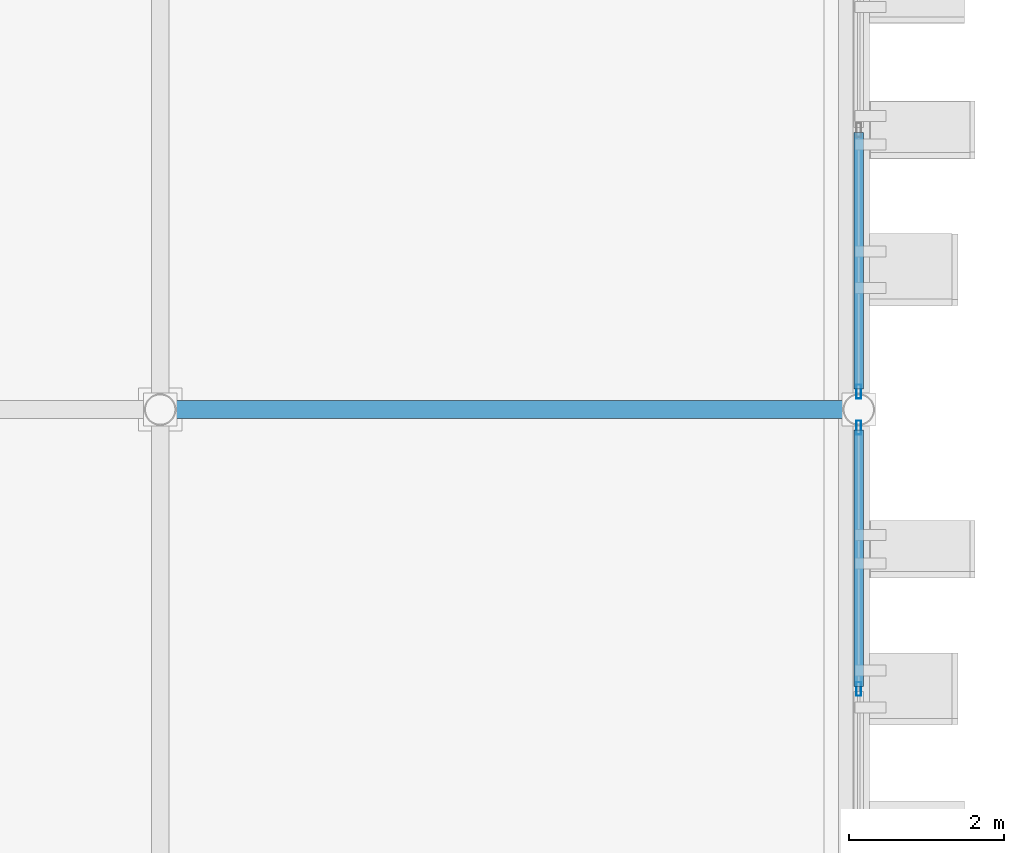
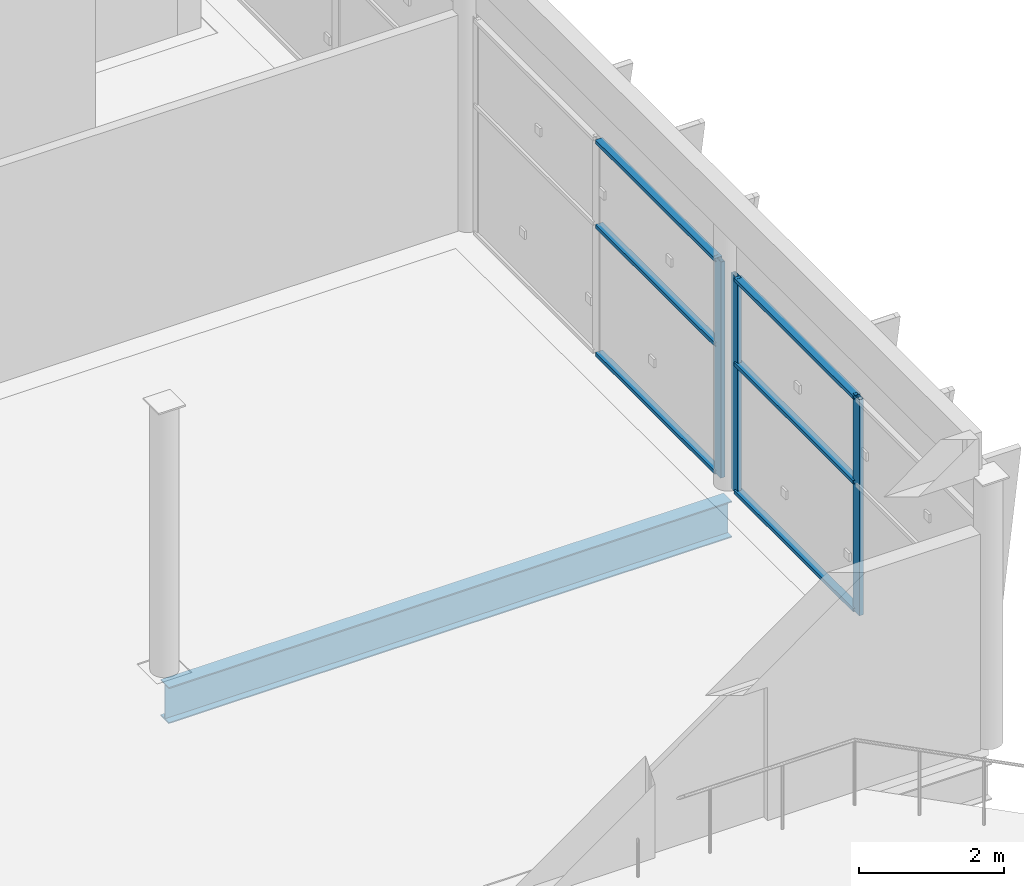
# One storey, part 21 of 52: 9 members, 1 beam, 2 elements without a shape of their own.
"""IFC4 building model written with IfcOpenShell, lengths in metres."""

from ifc_helpers import new_model, si_unit, direction, frame, origin, origin_2d, place, context, subcontext, project, spatial, hollow_rectangle, i_section, extrude, material, layer, layer_set, material_profile, profile_set, type_object, element, aggregate, save


model = new_model("IFC4")

# Units and contexts
model_context = context("Model", 3, precision=1e-05, world=origin(), true_north=direction((0.0, 1.0)))
body_context = subcontext(model_context, "Body", "Model", "MODEL_VIEW")
ifc_project = project(units=[si_unit("LENGTHUNIT", "METRE"), si_unit("AREAUNIT", "SQUARE_METRE"), si_unit("VOLUMEUNIT", "CUBIC_METRE"), si_unit("PLANEANGLEUNIT", "RADIAN"), si_unit("MASSUNIT", "GRAM", prefix="KILO")], contexts=[model_context])

# Site, building, storey
site_placement = place(None, origin())
site = spatial("IfcSite", under=ifc_project, at=site_placement, CompositionType="ELEMENT")
building_placement = place(site_placement, origin())
building = spatial("IfcBuilding", under=site, at=building_placement, Name="Celestram Park Convention Centre", CompositionType="ELEMENT")
storey_placement = place(building_placement, frame((0.0, 0.0, 24.300048828125)))
storey = spatial("IfcBuildingStorey", under=building, at=storey_placement, Name="L05", CompositionType="ELEMENT", Elevation=24.300048828125)

# Curtain wall, member
ifc_material_1 = material(Name="Anodised Aluminium Alloy 6063-T6", Category="aluminium")
ifc_layer = layer(ifc_material_1, 0.179931640625)
ifc_layer_set = layer_set([ifc_layer], Name="Anodised Aluminium Alloy 6063-T6")
curtain_wall_type = type_object("IfcCurtainWallType", Name="ARC-CW-680X365", PredefinedType="NOTDEFINED", material=ifc_layer_set)
curtain_wall_1_placement = place(storey_placement, origin())
curtain_wall_1 = element("IfcCurtainWall", 1, at=curtain_wall_1_placement, inside=storey, type_object=curtain_wall_type, Name="Unitised curtain wall CU-L05-254", PredefinedType="NOTDEFINED")
ifc_material_profile_1 = material_profile(ifc_material_1, hollow_rectangle(XDim=0.06494140625, YDim=0.179931640625, WallThickness=0.00390625, at=origin_2d()), Name="ALU65X180X4")
ifc_profile_set_1 = profile_set([ifc_material_profile_1], Name="Anodised Aluminium Alloy 6063-T6")
member_type_1 = type_object("IfcMemberType", Name="ARC-CWM-150", PredefinedType="MULLION", material=ifc_profile_set_1)
member_1_placement = place(storey_placement, frame((99.0, 137.031494140625, 0.0), z_axis=(0.0, 0.0, 1.0), x_axis=(1.0, 0.0, 0.0)))
member_1 = element("IfcMember", 2, at=member_1_placement, type_object=member_type_1, Name="CW-68X36 mullion 3", PredefinedType="MULLION", context=body_context, shape_type="SweptSolid", body=[
    extrude(hollow_rectangle(XDim=0.06494140625, YDim=0.179931640625, WallThickness=0.00390625, at=origin_2d()), origin(), (0.0, 0.0, 1.0), 3.64794921875),
])

# Curtain wall, members
curtain_wall_2_placement = place(storey_placement, origin())
curtain_wall_2 = element("IfcCurtainWall", 3, at=curtain_wall_2_placement, inside=storey, type_object=curtain_wall_type, Name="Unitised curtain wall CU-L05-255", PredefinedType="NOTDEFINED")
member_2_placement = place(storey_placement, frame((99.0, 136.568603515625, 0.0), z_axis=(0.0, 0.0, 1.0), x_axis=(1.0, 0.0, 0.0)))
member_2 = element("IfcMember", 4, at=member_2_placement, type_object=member_type_1, Name="CW-68X36 mullion 1", PredefinedType="MULLION", context=body_context, shape_type="SweptSolid", body=[
    extrude(hollow_rectangle(XDim=0.06494140625, YDim=0.179931640625, WallThickness=0.00390625, at=origin_2d()), origin(), (0.0, 0.0, 1.0), 3.64794921875),
])
member_3_placement = place(storey_placement, frame((99.0, 133.199951171875, 0.0), z_axis=(0.0, 0.0, 1.0), x_axis=(1.0, 0.0, 0.0)))
member_3 = element("IfcMember", 5, at=member_3_placement, type_object=member_type_1, Name="CW-68X36 mullion 2", PredefinedType="MULLION", context=body_context, shape_type="SweptSolid", body=[
    extrude(hollow_rectangle(XDim=0.06494140625, YDim=0.179931640625, WallThickness=0.00390625, at=origin_2d()), origin(), (0.0, 0.0, 1.0), 3.64794921875),
])

# Member
ifc_material_profile_2 = material_profile(ifc_material_1, hollow_rectangle(XDim=0.1201171875, YDim=0.06005859375, WallThickness=0.0029296875, at=origin_2d()), Name="ALU120X60X3")
ifc_profile_set_2 = profile_set([ifc_material_profile_2], Name="Anodised Aluminium Alloy 6063-T6")
member_type_2 = type_object("IfcMemberType", Name="ARC-CWT-120", PredefinedType="USERDEFINED", material=ifc_profile_set_2)
member_4_placement = place(storey_placement, frame((99.0, 140.367431640625, 0.030029296875), z_axis=(0.0, -1.0, 0.0), x_axis=(1.0, 0.0, 0.0)))
member_4 = element("IfcMember", 6, at=member_4_placement, type_object=member_type_2, Name="CW-68X36 transom 2.1", ObjectType="TRANSOM", PredefinedType="USERDEFINED", context=body_context, shape_type="SweptSolid", body=[
    extrude(hollow_rectangle(XDim=0.1201171875, YDim=0.06005859375, WallThickness=0.0029296875, at=origin_2d()), origin(), (0.0, 0.0, 1.0), 3.303466796875),
])

member_5_placement = place(storey_placement, frame((99.0, 140.367431640625, 2.18896484375), z_axis=(0.0, -1.0, 0.0), x_axis=(1.0, 0.0, 0.0)))
member_5 = element("IfcMember", 7, at=member_5_placement, type_object=member_type_2, Name="CW-68X36 transom 2.2", ObjectType="TRANSOM", PredefinedType="USERDEFINED", context=body_context, shape_type="SweptSolid", body=[
    extrude(hollow_rectangle(XDim=0.1201171875, YDim=0.06005859375, WallThickness=0.0029296875, at=origin_2d()), origin(), (0.0, 0.0, 1.0), 3.303466796875),
])

member_6_placement = place(storey_placement, frame((99.0, 140.367431640625, 3.617919921875), z_axis=(0.0, -1.0, 0.0), x_axis=(1.0, 0.0, 0.0)))
member_6 = element("IfcMember", 8, at=member_6_placement, type_object=member_type_2, Name="CW-68X36 transom 2.3", ObjectType="TRANSOM", PredefinedType="USERDEFINED", context=body_context, shape_type="SweptSolid", body=[
    extrude(hollow_rectangle(XDim=0.1201171875, YDim=0.06005859375, WallThickness=0.0029296875, at=origin_2d()), origin(), (0.0, 0.0, 1.0), 3.303466796875),
])

aggregate(curtain_wall_1, [member_1, member_4, member_5, member_6])

member_7_placement = place(storey_placement, frame((99.0, 136.535888671875, 0.030029296875), z_axis=(0.0, -1.0, 0.0), x_axis=(1.0, 0.0, 0.0)))
member_7 = element("IfcMember", 9, at=member_7_placement, type_object=member_type_2, Name="CW-68X36 transom 1.1", ObjectType="TRANSOM", PredefinedType="USERDEFINED", context=body_context, shape_type="SweptSolid", body=[
    extrude(hollow_rectangle(XDim=0.1201171875, YDim=0.06005859375, WallThickness=0.0029296875, at=origin_2d()), origin(), (0.0, 0.0, 1.0), 3.303466796875),
])

member_8_placement = place(storey_placement, frame((99.0, 136.535888671875, 2.18896484375), z_axis=(0.0, -1.0, 0.0), x_axis=(1.0, 0.0, 0.0)))
member_8 = element("IfcMember", 10, at=member_8_placement, type_object=member_type_2, Name="CW-68X36 transom 1.2", ObjectType="TRANSOM", PredefinedType="USERDEFINED", context=body_context, shape_type="SweptSolid", body=[
    extrude(hollow_rectangle(XDim=0.1201171875, YDim=0.06005859375, WallThickness=0.0029296875, at=origin_2d()), origin(), (0.0, 0.0, 1.0), 3.303466796875),
])

member_9_placement = place(storey_placement, frame((99.0, 136.535888671875, 3.617919921875), z_axis=(0.0, -1.0, 0.0), x_axis=(1.0, 0.0, 0.0)))
member_9 = element("IfcMember", 11, at=member_9_placement, type_object=member_type_2, Name="CW-68X36 transom 1.3", ObjectType="TRANSOM", PredefinedType="USERDEFINED", context=body_context, shape_type="SweptSolid", body=[
    extrude(hollow_rectangle(XDim=0.1201171875, YDim=0.06005859375, WallThickness=0.0029296875, at=origin_2d()), origin(), (0.0, 0.0, 1.0), 3.303466796875),
])

aggregate(curtain_wall_2, [member_2, member_3, member_7, member_8, member_9])

# Beam
ifc_material_2 = material(Name="Steel ASTM A992 Grade 50", Category="steel")
ifc_material_profile_3 = material_profile(ifc_material_2, i_section(OverallWidth=0.22900390625, OverallDepth=0.612060546875, WebThickness=0.011962890625, FlangeThickness=0.01953125, at=origin_2d()), Name="W24X84")
ifc_profile_set_3 = profile_set([ifc_material_profile_3], Name="Steel ASTM A992 Grade 50")
beam_type = type_object("IfcBeamType", Name="STR-BM-W24X84", PredefinedType="BEAM", material=ifc_profile_set_3)
beam_placement = place(storey_placement, frame((90.0048828125, 136.800048828125, -0.546142578125), z_axis=(1.0, 0.0, 0.0), x_axis=(0.0, 1.0, 0.0)))
element("IfcBeam", 12, at=beam_placement, inside=storey, type_object=beam_type, Name="Primary X-girder BG-L05-0093", PredefinedType="BEAM", context=body_context, shape_type="SweptSolid", body=[
    extrude(i_section(OverallWidth=0.22900390625, OverallDepth=0.612060546875, WebThickness=0.011962890625, FlangeThickness=0.01953125, at=origin_2d()), origin(), (0.0, 0.0, 1.0), 8.990234375),
])

save(model, "model.ifc")
